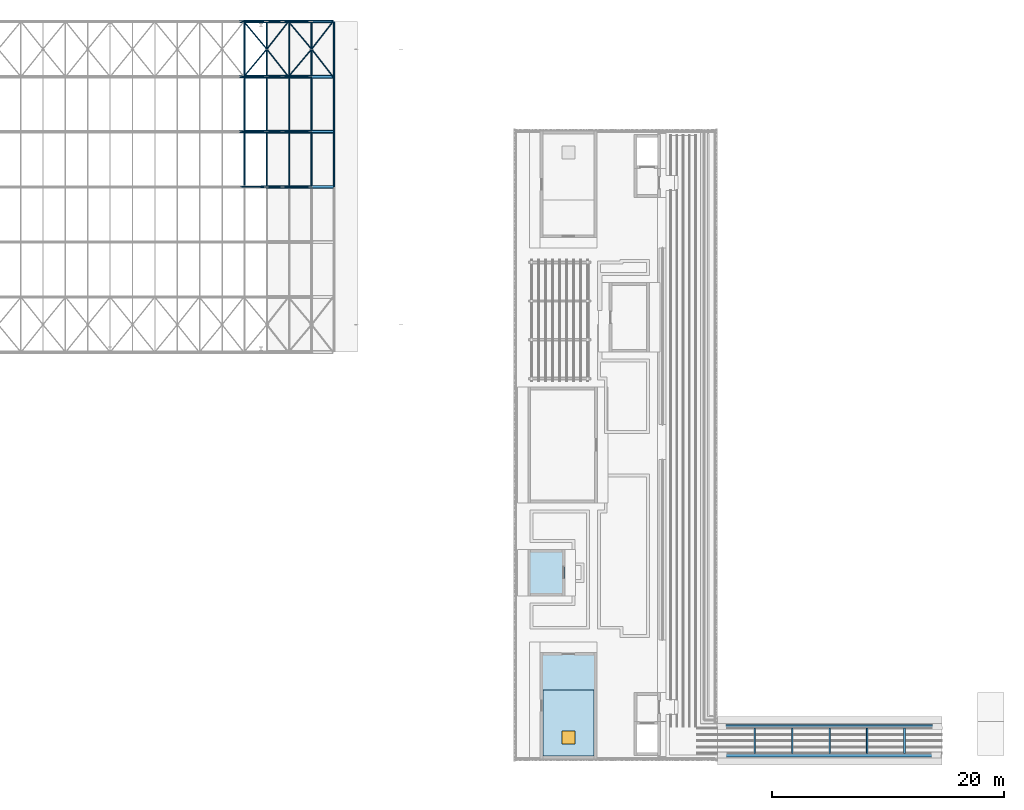
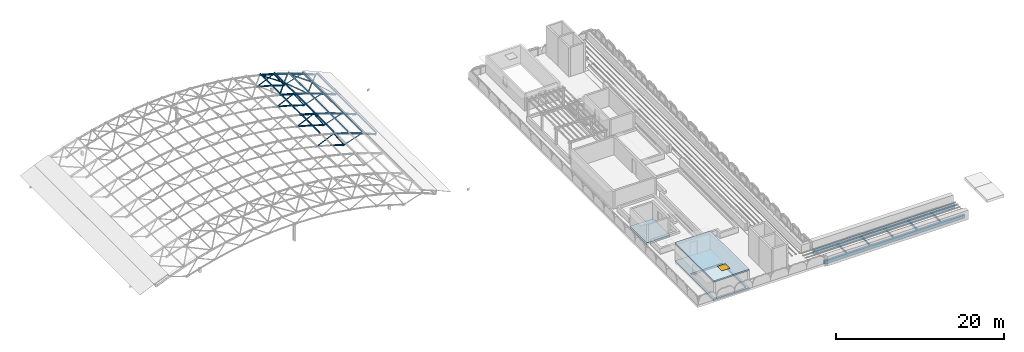
# One storey, part 8 of 22: 57 members, 7 beams, 3 slabs, 1 window, 1 opening.
"""IFC4 building model written with IfcOpenShell, lengths in metres."""

from ifc_helpers import new_model, si_unit, direction, frame, origin, origin_2d, place, context, subcontext, project, spatial, polyline, rectangle, hollow_rectangle, hollow_circle, outline, extrude, material, layer, layer_set, material_profile, profile_set, type_object, element, fill, save


model = new_model("IFC4")

# Units and contexts
model_context = context("Model", 3, precision=1e-05, world=origin(), true_north=direction((0.0, 1.0)))
body_context = subcontext(model_context, "Body", "Model", "MODEL_VIEW")
ifc_project = project(units=[si_unit("LENGTHUNIT", "METRE"), si_unit("AREAUNIT", "SQUARE_METRE"), si_unit("VOLUMEUNIT", "CUBIC_METRE"), si_unit("PLANEANGLEUNIT", "RADIAN"), si_unit("MASSUNIT", "GRAM", prefix="KILO")], contexts=[model_context])

# Site, building, storey
site_placement = place(None, origin())
site = spatial("IfcSite", under=ifc_project, at=site_placement, CompositionType="ELEMENT")
building_placement = place(site_placement, origin())
building = spatial("IfcBuilding", under=site, at=building_placement, Name="Elbe Cascade School", CompositionType="ELEMENT")
storey_placement = place(building_placement, frame((0.0, 0.0, 18.89990234375)))
storey = spatial("IfcBuildingStorey", under=building, at=storey_placement, Name="R05", CompositionType="ELEMENT", Elevation=18.89990234375)

# Members
ifc_material_1 = material(Name="Steel S355J2H", Category="steel")
ifc_material_profile_1 = material_profile(ifc_material_1, hollow_circle(Radius=0.109619140625, WallThickness=0.012451171875, at=origin_2d()), Name="CHS 219.1x12.5")
ifc_profile_set_1 = profile_set([ifc_material_profile_1], Name="Steel S355J2H")
member_type_1 = type_object("IfcMemberType", Name="Hall rib bottom chord CHS 219.1x12.5", PredefinedType="CHORD", material=ifc_profile_set_1)
member_1_placement = place(storey_placement, frame((47.0, 55.25, 0.82763671875), z_axis=(0.953554243511, 0.0, -0.301221354957), x_axis=(0.0, 1.0, 0.0)))
element("IfcMember", 1, at=member_1_placement, inside=storey, type_object=member_type_1, Name="Hall rib bottom chord CHS 219.1x12.5 M3", PredefinedType="CHORD", context=body_context, shape_type="SweptSolid", body=[
    extrude(hollow_circle(Radius=0.109619140625, WallThickness=0.012451171875, at=origin_2d()), origin(), (0.0, 0.0, 1.0), 1.94775390625),
])
member_2_placement = place(storey_placement, frame((45.142822265625, 60.0, 1.329833984375), z_axis=(0.965329694666, 0.0, -0.26103367713), x_axis=(0.0, 1.0, 0.0)))
element("IfcMember", 2, at=member_2_placement, inside=storey, type_object=member_type_1, Name="Hall rib bottom chord CHS 219.1x12.5 M3", PredefinedType="CHORD", context=body_context, shape_type="SweptSolid", body=[
    extrude(hollow_circle(Radius=0.109619140625, WallThickness=0.012451171875, at=origin_2d()), origin(), (0.0, 0.0, 1.0), 1.923828125),
])
member_3_placement = place(storey_placement, frame((47.0, 60.0, 0.82763671875), z_axis=(0.953554243511, 0.0, -0.301221354957), x_axis=(0.0, 1.0, 0.0)))
element("IfcMember", 3, at=member_3_placement, inside=storey, type_object=member_type_1, Name="Hall rib bottom chord CHS 219.1x12.5 M3", PredefinedType="CHORD", context=body_context, shape_type="SweptSolid", body=[
    extrude(hollow_circle(Radius=0.109619140625, WallThickness=0.012451171875, at=origin_2d()), origin(), (0.0, 0.0, 1.0), 1.94775390625),
])
member_4_placement = place(storey_placement, frame((45.142822265625, 64.75, 1.329833984375), z_axis=(0.965329694666, 0.0, -0.26103367713), x_axis=(0.0, 1.0, 0.0)))
element("IfcMember", 4, at=member_4_placement, inside=storey, type_object=member_type_1, Name="Hall rib bottom chord CHS 219.1x12.5 M3", PredefinedType="CHORD", context=body_context, shape_type="SweptSolid", body=[
    extrude(hollow_circle(Radius=0.109619140625, WallThickness=0.012451171875, at=origin_2d()), origin(), (0.0, 0.0, 1.0), 1.923828125),
])
member_5_placement = place(storey_placement, frame((47.0, 64.75, 0.82763671875), z_axis=(0.953554243511, 0.0, -0.301221354957), x_axis=(0.0, 1.0, 0.0)))
element("IfcMember", 5, at=member_5_placement, inside=storey, type_object=member_type_1, Name="Hall rib bottom chord CHS 219.1x12.5 M3", PredefinedType="CHORD", context=body_context, shape_type="SweptSolid", body=[
    extrude(hollow_circle(Radius=0.109619140625, WallThickness=0.012451171875, at=origin_2d()), origin(), (0.0, 0.0, 1.0), 1.94775390625),
])
member_6_placement = place(storey_placement, frame((45.142822265625, 69.5, 1.329833984375), z_axis=(0.965329694666, 0.0, -0.26103367713), x_axis=(0.0, 1.0, 0.0)))
element("IfcMember", 6, at=member_6_placement, inside=storey, type_object=member_type_1, Name="Hall rib bottom chord CHS 219.1x12.5 M3", PredefinedType="CHORD", context=body_context, shape_type="SweptSolid", body=[
    extrude(hollow_circle(Radius=0.109619140625, WallThickness=0.012451171875, at=origin_2d()), origin(), (0.0, 0.0, 1.0), 1.923828125),
])
member_7_placement = place(storey_placement, frame((47.0, 69.5, 0.82763671875), z_axis=(0.953554243511, 0.0, -0.301221354957), x_axis=(0.0, 1.0, 0.0)))
element("IfcMember", 7, at=member_7_placement, inside=storey, type_object=member_type_1, Name="Hall rib bottom chord CHS 219.1x12.5 M3", PredefinedType="CHORD", context=body_context, shape_type="SweptSolid", body=[
    extrude(hollow_circle(Radius=0.109619140625, WallThickness=0.012451171875, at=origin_2d()), origin(), (0.0, 0.0, 1.0), 1.94775390625),
])
ifc_material_2 = material(Name="Steel S355J2H", Category="steel")
ifc_material_profile_2 = material_profile(ifc_material_2, hollow_circle(Radius=0.136474609375, WallThickness=0.012451171875, at=origin_2d()), Name="CHS 273x12.5")
ifc_profile_set_2 = profile_set([ifc_material_profile_2], Name="Steel S355J2H")
member_type_2 = type_object("IfcMemberType", Name="Hall rib top chord CHS 273x12.5", PredefinedType="CHORD", material=ifc_profile_set_2)
member_8_placement = place(storey_placement, frame((47.44970703125, 55.25, 2.363037109375), z_axis=(0.953557025061, 0.0, -0.301212549467), x_axis=(0.0, 1.0, 0.0)))
element("IfcMember", 8, at=member_8_placement, inside=storey, type_object=member_type_2, Name="Hall rib top chord CHS 273x12.5 M2", PredefinedType="CHORD", context=body_context, shape_type="SweptSolid", body=[
    extrude(hollow_circle(Radius=0.136474609375, WallThickness=0.012451171875, at=origin_2d()), origin(), (0.0, 0.0, 1.0), 2.014892578125),
])
member_9_placement = place(storey_placement, frame((49.37109375, 55.25, 1.756103515625), z_axis=(0.939901472249, 0.0, -0.341445782612), x_axis=(0.0, 1.0, 0.0)))
element("IfcMember", 9, at=member_9_placement, inside=storey, type_object=member_type_2, Name="Hall rib top chord CHS 273x12.5 M2", PredefinedType="CHORD", context=body_context, shape_type="SweptSolid", body=[
    extrude(hollow_circle(Radius=0.136474609375, WallThickness=0.012451171875, at=origin_2d()), origin(), (0.0, 0.0, 1.0), 2.044189453125),
])
member_10_placement = place(storey_placement, frame((51.29248046875, 55.25, 1.05810546875), z_axis=(0.924371303733, 0.0, -0.381494027259), x_axis=(0.0, 1.0, 0.0)))
element("IfcMember", 10, at=member_10_placement, inside=storey, type_object=member_type_2, Name="Hall rib top chord CHS 273x12.5 M2", PredefinedType="CHORD", context=body_context, shape_type="SweptSolid", body=[
    extrude(hollow_circle(Radius=0.136474609375, WallThickness=0.012451171875, at=origin_2d()), origin(), (0.0, 0.0, 1.0), 2.07861328125),
])
member_11_placement = place(storey_placement, frame((45.5283203125, 60.0, 2.882568359375), z_axis=(0.965333327016, 0.0, -0.26102024395), x_axis=(0.0, 1.0, 0.0)))
element("IfcMember", 11, at=member_11_placement, inside=storey, type_object=member_type_2, Name="Hall rib top chord CHS 273x12.5 M2", PredefinedType="CHORD", context=body_context, shape_type="SweptSolid", body=[
    extrude(hollow_circle(Radius=0.136474609375, WallThickness=0.012451171875, at=origin_2d()), origin(), (0.0, 0.0, 1.0), 1.990478515625),
])
member_12_placement = place(storey_placement, frame((47.44970703125, 60.0, 2.363037109375), z_axis=(0.953557025061, 0.0, -0.301212549467), x_axis=(0.0, 1.0, 0.0)))
element("IfcMember", 12, at=member_12_placement, inside=storey, type_object=member_type_2, Name="Hall rib top chord CHS 273x12.5 M2", PredefinedType="CHORD", context=body_context, shape_type="SweptSolid", body=[
    extrude(hollow_circle(Radius=0.136474609375, WallThickness=0.012451171875, at=origin_2d()), origin(), (0.0, 0.0, 1.0), 2.014892578125),
])
member_13_placement = place(storey_placement, frame((49.37109375, 60.0, 1.756103515625), z_axis=(0.939901472249, 0.0, -0.341445782612), x_axis=(0.0, 1.0, 0.0)))
element("IfcMember", 13, at=member_13_placement, inside=storey, type_object=member_type_2, Name="Hall rib top chord CHS 273x12.5 M2", PredefinedType="CHORD", context=body_context, shape_type="SweptSolid", body=[
    extrude(hollow_circle(Radius=0.136474609375, WallThickness=0.012451171875, at=origin_2d()), origin(), (0.0, 0.0, 1.0), 2.044189453125),
])
member_14_placement = place(storey_placement, frame((51.29248046875, 60.0, 1.05810546875), z_axis=(0.924371303733, 0.0, -0.381494027259), x_axis=(0.0, 1.0, 0.0)))
element("IfcMember", 14, at=member_14_placement, inside=storey, type_object=member_type_2, Name="Hall rib top chord CHS 273x12.5 M2", PredefinedType="CHORD", context=body_context, shape_type="SweptSolid", body=[
    extrude(hollow_circle(Radius=0.136474609375, WallThickness=0.012451171875, at=origin_2d()), origin(), (0.0, 0.0, 1.0), 2.07861328125),
])
member_15_placement = place(storey_placement, frame((45.5283203125, 64.75, 2.882568359375), z_axis=(0.965333327016, 0.0, -0.26102024395), x_axis=(0.0, 1.0, 0.0)))
element("IfcMember", 15, at=member_15_placement, inside=storey, type_object=member_type_2, Name="Hall rib top chord CHS 273x12.5 M2", PredefinedType="CHORD", context=body_context, shape_type="SweptSolid", body=[
    extrude(hollow_circle(Radius=0.136474609375, WallThickness=0.012451171875, at=origin_2d()), origin(), (0.0, 0.0, 1.0), 1.990478515625),
])
member_16_placement = place(storey_placement, frame((47.44970703125, 64.75, 2.363037109375), z_axis=(0.953557025061, 0.0, -0.301212549467), x_axis=(0.0, 1.0, 0.0)))
element("IfcMember", 16, at=member_16_placement, inside=storey, type_object=member_type_2, Name="Hall rib top chord CHS 273x12.5 M2", PredefinedType="CHORD", context=body_context, shape_type="SweptSolid", body=[
    extrude(hollow_circle(Radius=0.136474609375, WallThickness=0.012451171875, at=origin_2d()), origin(), (0.0, 0.0, 1.0), 2.014892578125),
])
member_17_placement = place(storey_placement, frame((49.37109375, 64.75, 1.756103515625), z_axis=(0.939901472249, 0.0, -0.341445782612), x_axis=(0.0, 1.0, 0.0)))
element("IfcMember", 17, at=member_17_placement, inside=storey, type_object=member_type_2, Name="Hall rib top chord CHS 273x12.5 M2", PredefinedType="CHORD", context=body_context, shape_type="SweptSolid", body=[
    extrude(hollow_circle(Radius=0.136474609375, WallThickness=0.012451171875, at=origin_2d()), origin(), (0.0, 0.0, 1.0), 2.044189453125),
])
member_18_placement = place(storey_placement, frame((51.29248046875, 64.75, 1.05810546875), z_axis=(0.924371303733, 0.0, -0.381494027259), x_axis=(0.0, 1.0, 0.0)))
element("IfcMember", 18, at=member_18_placement, inside=storey, type_object=member_type_2, Name="Hall rib top chord CHS 273x12.5 M2", PredefinedType="CHORD", context=body_context, shape_type="SweptSolid", body=[
    extrude(hollow_circle(Radius=0.136474609375, WallThickness=0.012451171875, at=origin_2d()), origin(), (0.0, 0.0, 1.0), 2.07861328125),
])
member_19_placement = place(storey_placement, frame((45.5283203125, 69.5, 2.882568359375), z_axis=(0.965333327016, 0.0, -0.26102024395), x_axis=(0.0, 1.0, 0.0)))
element("IfcMember", 19, at=member_19_placement, inside=storey, type_object=member_type_2, Name="Hall rib top chord CHS 273x12.5 M2", PredefinedType="CHORD", context=body_context, shape_type="SweptSolid", body=[
    extrude(hollow_circle(Radius=0.136474609375, WallThickness=0.012451171875, at=origin_2d()), origin(), (0.0, 0.0, 1.0), 1.990478515625),
])
member_20_placement = place(storey_placement, frame((47.44970703125, 69.5, 2.363037109375), z_axis=(0.953557025061, 0.0, -0.301212549467), x_axis=(0.0, 1.0, 0.0)))
element("IfcMember", 20, at=member_20_placement, inside=storey, type_object=member_type_2, Name="Hall rib top chord CHS 273x12.5 M2", PredefinedType="CHORD", context=body_context, shape_type="SweptSolid", body=[
    extrude(hollow_circle(Radius=0.136474609375, WallThickness=0.012451171875, at=origin_2d()), origin(), (0.0, 0.0, 1.0), 2.014892578125),
])
member_21_placement = place(storey_placement, frame((49.37109375, 69.5, 1.756103515625), z_axis=(0.939901472249, 0.0, -0.341445782612), x_axis=(0.0, 1.0, 0.0)))
element("IfcMember", 21, at=member_21_placement, inside=storey, type_object=member_type_2, Name="Hall rib top chord CHS 273x12.5 M2", PredefinedType="CHORD", context=body_context, shape_type="SweptSolid", body=[
    extrude(hollow_circle(Radius=0.136474609375, WallThickness=0.012451171875, at=origin_2d()), origin(), (0.0, 0.0, 1.0), 2.044189453125),
])
member_22_placement = place(storey_placement, frame((51.29248046875, 69.5, 1.05810546875), z_axis=(0.924371303733, 0.0, -0.381494027259), x_axis=(0.0, 1.0, 0.0)))
element("IfcMember", 22, at=member_22_placement, inside=storey, type_object=member_type_2, Name="Hall rib top chord CHS 273x12.5 M2", PredefinedType="CHORD", context=body_context, shape_type="SweptSolid", body=[
    extrude(hollow_circle(Radius=0.136474609375, WallThickness=0.012451171875, at=origin_2d()), origin(), (0.0, 0.0, 1.0), 2.07861328125),
])
ifc_material_3 = material(Name="Steel S355J2H", Category="steel")
ifc_material_profile_3 = material_profile(ifc_material_3, hollow_circle(Radius=0.06982421875, WallThickness=0.008056640625, at=origin_2d()), Name="CHS 139.7x8")
ifc_profile_set_3 = profile_set([ifc_material_profile_3], Name="Steel S355J2H")
member_type_3 = type_object("IfcMemberType", Name="Hall rib web CHS 139.7x8", PredefinedType="BRACE", material=ifc_profile_set_3)
member_23_placement = place(storey_placement, frame((45.142822265625, 55.25, 1.329833984375), z_axis=(0.91264478228, 0.0, 0.408753594942), x_axis=(0.0, 1.0, 0.0)))
element("IfcMember", 23, at=member_23_placement, inside=storey, type_object=member_type_3, Name="Hall rib web CHS 139.7x8 M4", PredefinedType="BRACE", context=body_context, shape_type="SweptSolid", body=[
    extrude(hollow_circle(Radius=0.06982421875, WallThickness=0.008056640625, at=origin_2d()), origin(), (0.0, 0.0, 1.0), 2.527587890625),
])
member_24_placement = place(storey_placement, frame((47.44970703125, 55.25, 2.363037109375), z_axis=(0.552729481787, 0.0, -0.833360738194), x_axis=(0.0, 1.0, 0.0)))
element("IfcMember", 24, at=member_24_placement, inside=storey, type_object=member_type_3, Name="Hall rib web CHS 139.7x8 M4", PredefinedType="BRACE", context=body_context, shape_type="SweptSolid", body=[
    extrude(hollow_circle(Radius=0.06982421875, WallThickness=0.008056640625, at=origin_2d()), origin(), (0.0, 0.0, 1.0), 2.54638671875),
])
member_25_placement = place(storey_placement, frame((48.857177734375, 55.25, 0.240966796875), z_axis=(0.948054147637, 0.0, 0.318108995704), x_axis=(0.0, 1.0, 0.0)))
element("IfcMember", 25, at=member_25_placement, inside=storey, type_object=member_type_3, Name="Hall rib web CHS 139.7x8 M4", PredefinedType="BRACE", context=body_context, shape_type="SweptSolid", body=[
    extrude(hollow_circle(Radius=0.06982421875, WallThickness=0.008056640625, at=origin_2d()), origin(), (0.0, 0.0, 1.0), 2.56884765625),
])
member_26_placement = place(storey_placement, frame((45.142822265625, 60.0, 1.329833984375), z_axis=(0.91264478228, 0.0, 0.408753594942), x_axis=(0.0, 1.0, 0.0)))
element("IfcMember", 26, at=member_26_placement, inside=storey, type_object=member_type_3, Name="Hall rib web CHS 139.7x8 M4", PredefinedType="BRACE", context=body_context, shape_type="SweptSolid", body=[
    extrude(hollow_circle(Radius=0.06982421875, WallThickness=0.008056640625, at=origin_2d()), origin(), (0.0, 0.0, 1.0), 2.527587890625),
])
member_27_placement = place(storey_placement, frame((47.44970703125, 60.0, 2.363037109375), z_axis=(0.552729481787, 0.0, -0.833360738194), x_axis=(0.0, 1.0, 0.0)))
element("IfcMember", 27, at=member_27_placement, inside=storey, type_object=member_type_3, Name="Hall rib web CHS 139.7x8 M4", PredefinedType="BRACE", context=body_context, shape_type="SweptSolid", body=[
    extrude(hollow_circle(Radius=0.06982421875, WallThickness=0.008056640625, at=origin_2d()), origin(), (0.0, 0.0, 1.0), 2.54638671875),
])
member_28_placement = place(storey_placement, frame((48.857177734375, 60.0, 0.240966796875), z_axis=(0.948054147637, 0.0, 0.318108995704), x_axis=(0.0, 1.0, 0.0)))
element("IfcMember", 28, at=member_28_placement, inside=storey, type_object=member_type_3, Name="Hall rib web CHS 139.7x8 M4", PredefinedType="BRACE", context=body_context, shape_type="SweptSolid", body=[
    extrude(hollow_circle(Radius=0.06982421875, WallThickness=0.008056640625, at=origin_2d()), origin(), (0.0, 0.0, 1.0), 2.56884765625),
])
member_29_placement = place(storey_placement, frame((45.142822265625, 64.75, 1.329833984375), z_axis=(0.91264478228, 0.0, 0.408753594942), x_axis=(0.0, 1.0, 0.0)))
element("IfcMember", 29, at=member_29_placement, inside=storey, type_object=member_type_3, Name="Hall rib web CHS 139.7x8 M4", PredefinedType="BRACE", context=body_context, shape_type="SweptSolid", body=[
    extrude(hollow_circle(Radius=0.06982421875, WallThickness=0.008056640625, at=origin_2d()), origin(), (0.0, 0.0, 1.0), 2.527587890625),
])
member_30_placement = place(storey_placement, frame((47.44970703125, 64.75, 2.363037109375), z_axis=(0.552729481787, 0.0, -0.833360738194), x_axis=(0.0, 1.0, 0.0)))
element("IfcMember", 30, at=member_30_placement, inside=storey, type_object=member_type_3, Name="Hall rib web CHS 139.7x8 M4", PredefinedType="BRACE", context=body_context, shape_type="SweptSolid", body=[
    extrude(hollow_circle(Radius=0.06982421875, WallThickness=0.008056640625, at=origin_2d()), origin(), (0.0, 0.0, 1.0), 2.54638671875),
])
member_31_placement = place(storey_placement, frame((48.857177734375, 64.75, 0.240966796875), z_axis=(0.948054147637, 0.0, 0.318108995704), x_axis=(0.0, 1.0, 0.0)))
element("IfcMember", 31, at=member_31_placement, inside=storey, type_object=member_type_3, Name="Hall rib web CHS 139.7x8 M4", PredefinedType="BRACE", context=body_context, shape_type="SweptSolid", body=[
    extrude(hollow_circle(Radius=0.06982421875, WallThickness=0.008056640625, at=origin_2d()), origin(), (0.0, 0.0, 1.0), 2.56884765625),
])
member_32_placement = place(storey_placement, frame((45.142822265625, 69.5, 1.329833984375), z_axis=(0.91264478228, 0.0, 0.408753594942), x_axis=(0.0, 1.0, 0.0)))
element("IfcMember", 32, at=member_32_placement, inside=storey, type_object=member_type_3, Name="Hall rib web CHS 139.7x8 M4", PredefinedType="BRACE", context=body_context, shape_type="SweptSolid", body=[
    extrude(hollow_circle(Radius=0.06982421875, WallThickness=0.008056640625, at=origin_2d()), origin(), (0.0, 0.0, 1.0), 2.527587890625),
])
member_33_placement = place(storey_placement, frame((47.44970703125, 69.5, 2.363037109375), z_axis=(0.552729481787, 0.0, -0.833360738194), x_axis=(0.0, 1.0, 0.0)))
element("IfcMember", 33, at=member_33_placement, inside=storey, type_object=member_type_3, Name="Hall rib web CHS 139.7x8 M4", PredefinedType="BRACE", context=body_context, shape_type="SweptSolid", body=[
    extrude(hollow_circle(Radius=0.06982421875, WallThickness=0.008056640625, at=origin_2d()), origin(), (0.0, 0.0, 1.0), 2.54638671875),
])
member_34_placement = place(storey_placement, frame((48.857177734375, 69.5, 0.240966796875), z_axis=(0.948054147637, 0.0, 0.318108995704), x_axis=(0.0, 1.0, 0.0)))
element("IfcMember", 34, at=member_34_placement, inside=storey, type_object=member_type_3, Name="Hall rib web CHS 139.7x8 M4", PredefinedType="BRACE", context=body_context, shape_type="SweptSolid", body=[
    extrude(hollow_circle(Radius=0.06982421875, WallThickness=0.008056640625, at=origin_2d()), origin(), (0.0, 0.0, 1.0), 2.56884765625),
])
ifc_material_4 = material(Name="Steel S355J2H", Category="steel")
ifc_material_profile_4 = material_profile(ifc_material_4, hollow_circle(Radius=0.05712890625, WallThickness=0.00634765625, at=origin_2d()), Name="CHS 114.3x6.3")
ifc_profile_set_4 = profile_set([ifc_material_profile_4], Name="Steel S355J2H")
member_type_4 = type_object("IfcMemberType", Name="Hall roof bracing CHS 114.3x6.3", PredefinedType="BRACE", material=ifc_profile_set_4)
member_35_placement = place(storey_placement, frame((47.5078125, 67.125, 2.561279296875), z_axis=(-0.636817309596, -0.764055104557, 0.103361072944), x_axis=(0.768169496893, -0.6402465338, 0.0)))
element("IfcMember", 35, at=member_35_placement, inside=storey, type_object=member_type_4, Name="Hall roof bracing CHS 114.3x6.3 M9", PredefinedType="BRACE", context=body_context, shape_type="SweptSolid", body=[
    extrude(hollow_circle(Radius=0.05712890625, WallThickness=0.00634765625, at=origin_2d()), origin(), (0.0, 0.0, 1.0), 3.1083984375),
])
member_36_placement = place(storey_placement, frame((47.5078125, 67.125, 2.561279296875), z_axis=(0.596398878053, 0.760189764898, -0.257720584358), x_axis=(-0.786767161878, 0.617249895092, 0.0)))
element("IfcMember", 36, at=member_36_placement, inside=storey, type_object=member_type_4, Name="Hall roof bracing CHS 114.3x6.3 M9", PredefinedType="BRACE", context=body_context, shape_type="SweptSolid", body=[
    extrude(hollow_circle(Radius=0.05712890625, WallThickness=0.00634765625, at=origin_2d()), origin(), (0.0, 0.0, 1.0), 3.124267578125),
])
member_37_placement = place(storey_placement, frame((47.5078125, 67.125, 2.561279296875), z_axis=(-0.636817309596, 0.764055104557, 0.103361072944), x_axis=(-0.768169496893, -0.6402465338, 0.0)))
element("IfcMember", 37, at=member_37_placement, inside=storey, type_object=member_type_4, Name="Hall roof bracing CHS 114.3x6.3 M9", PredefinedType="BRACE", context=body_context, shape_type="SweptSolid", body=[
    extrude(hollow_circle(Radius=0.05712890625, WallThickness=0.00634765625, at=origin_2d()), origin(), (0.0, 0.0, 1.0), 3.1083984375),
])
member_38_placement = place(storey_placement, frame((47.5078125, 67.125, 2.561279296875), z_axis=(0.596398878053, -0.760189764898, -0.257720584358), x_axis=(0.786767161878, 0.617249895092, 0.0)))
element("IfcMember", 38, at=member_38_placement, inside=storey, type_object=member_type_4, Name="Hall roof bracing CHS 114.3x6.3 M9", PredefinedType="BRACE", context=body_context, shape_type="SweptSolid", body=[
    extrude(hollow_circle(Radius=0.05712890625, WallThickness=0.00634765625, at=origin_2d()), origin(), (0.0, 0.0, 1.0), 3.124267578125),
])
member_39_placement = place(storey_placement, frame((51.3671875, 67.125, 1.250732421875), z_axis=(-0.635028676085, -0.75557227996, 0.160776585066), x_axis=(0.765531209015, -0.64339876284, 0.0)))
element("IfcMember", 39, at=member_39_placement, inside=storey, type_object=member_type_4, Name="Hall roof bracing CHS 114.3x6.3 M9", PredefinedType="BRACE", context=body_context, shape_type="SweptSolid", body=[
    extrude(hollow_circle(Radius=0.05712890625, WallThickness=0.00634765625, at=origin_2d()), origin(), (0.0, 0.0, 1.0), 3.143310546875),
])
member_40_placement = place(storey_placement, frame((51.3671875, 67.125, 1.250732421875), z_axis=(0.583322813116, 0.750206812003, -0.311326572785), x_axis=(-0.78943960306, 0.613828243991, 0.0)))
element("IfcMember", 40, at=member_40_placement, inside=storey, type_object=member_type_4, Name="Hall roof bracing CHS 114.3x6.3 M9", PredefinedType="BRACE", context=body_context, shape_type="SweptSolid", body=[
    extrude(hollow_circle(Radius=0.05712890625, WallThickness=0.00634765625, at=origin_2d()), origin(), (0.0, 0.0, 1.0), 3.165771484375),
])
member_41_placement = place(storey_placement, frame((51.3671875, 67.125, 1.250732421875), z_axis=(-0.635028676085, 0.75557227996, 0.160776585066), x_axis=(-0.765531209015, -0.64339876284, 0.0)))
element("IfcMember", 41, at=member_41_placement, inside=storey, type_object=member_type_4, Name="Hall roof bracing CHS 114.3x6.3 M9", PredefinedType="BRACE", context=body_context, shape_type="SweptSolid", body=[
    extrude(hollow_circle(Radius=0.05712890625, WallThickness=0.00634765625, at=origin_2d()), origin(), (0.0, 0.0, 1.0), 3.143310546875),
])
member_42_placement = place(storey_placement, frame((51.3671875, 67.125, 1.250732421875), z_axis=(0.583322813116, -0.750206812003, -0.311326572785), x_axis=(0.78943960306, 0.613828243991, 0.0)))
element("IfcMember", 42, at=member_42_placement, inside=storey, type_object=member_type_4, Name="Hall roof bracing CHS 114.3x6.3 M9", PredefinedType="BRACE", context=body_context, shape_type="SweptSolid", body=[
    extrude(hollow_circle(Radius=0.05712890625, WallThickness=0.00634765625, at=origin_2d()), origin(), (0.0, 0.0, 1.0), 3.165771484375),
])
ifc_material_5 = material(Name="Steel S355J2H", Category="steel")
ifc_material_profile_5 = material_profile(ifc_material_5, hollow_rectangle(XDim=0.10009765625, YDim=0.199951171875, WallThickness=0.008056640625, InnerFilletRadius=0.008056640625, OuterFilletRadius=0.011962890625, at=origin_2d()), Name="RHS 200x100x8")
ifc_profile_set_5 = profile_set([ifc_material_profile_5], Name="Steel S355J2H")
member_type_5 = type_object("IfcMemberType", Name="Hall roof purlin RHS 200x100x8", PredefinedType="PURLIN", material=ifc_profile_set_5)
for number, where, z_axis, x_axis, name in (
    (43, (45.578125, 55.25, 3.0830078125), (0.0, 1.0, 0.0), (-0.970543329116, 0.0, 0.240926640925), "Hall roof purlin RHS 200x100x8 M8"),
    (44, (45.578125, 60.0, 3.0830078125), (0.0, 1.0, 0.0), (-0.970543329116, 0.0, 0.240926640925), "Hall roof purlin RHS 200x100x8 M8"),
    (45, (45.578125, 64.75, 3.0830078125), (0.0, 1.0, 0.0), (-0.970543329116, 0.0, 0.240926640925), "Hall roof purlin RHS 200x100x8 M8"),
    (46, (47.5078125, 55.25, 2.561279296875), (0.0, 1.0, 0.0), (-0.959684023967, 0.0, 0.281081081082), "Hall roof purlin RHS 200x100x8 M8"),
    (47, (47.5078125, 60.0, 2.561279296875), (0.0, 1.0, 0.0), (-0.959684023967, 0.0, 0.281081081082), "Hall roof purlin RHS 200x100x8 M8"),
    (48, (47.5078125, 64.75, 2.561279296875), (0.0, 1.0, 0.0), (-0.959684023967, 0.0, 0.281081081082), "Hall roof purlin RHS 200x100x8 M8"),
    (49, (49.4375, 55.25, 1.95166015625), (0.0, 1.0, 0.0), (-0.946999334689, 0.0, 0.321235521227), "Hall roof purlin RHS 200x100x8 M8"),
    (50, (49.4375, 60.0, 1.95166015625), (0.0, 1.0, 0.0), (-0.946999334689, 0.0, 0.321235521227), "Hall roof purlin RHS 200x100x8 M8"),
    (51, (49.4375, 64.75, 1.95166015625), (0.0, 1.0, 0.0), (-0.946999334689, 0.0, 0.321235521227), "Hall roof purlin RHS 200x100x8 M8"),
    (52, (51.3671875, 55.25, 1.250732421875), (0.0, 1.0, 0.0), (-0.932414765977, 0.0, 0.361389961383), "Hall roof purlin RHS 200x100x8 M8"),
    (53, (51.3671875, 60.0, 1.250732421875), (0.0, 1.0, 0.0), (-0.932414765977, 0.0, 0.361389961383), "Hall roof purlin RHS 200x100x8 M8"),
    (54, (51.3671875, 64.75, 1.250732421875), (0.0, 1.0, 0.0), (-0.932414765977, 0.0, 0.361389961383), "Hall roof purlin RHS 200x100x8 M8"),
    (55, (53.296875, 55.25, 0.4541015625), (0.0, 1.0, 0.0), (-0.915839556683, 0.0, 0.401544401549), "Hall roof purlin RHS 200x100x8 M8"),
    (56, (53.296875, 60.0, 0.4541015625), (0.0, 1.0, 0.0), (-0.915839556683, 0.0, 0.401544401549), "Hall roof purlin RHS 200x100x8 M8"),
    (57, (53.296875, 64.75, 0.4541015625), (0.0, 1.0, 0.0), (-0.915839556683, 0.0, 0.401544401549), "Hall roof purlin RHS 200x100x8 M8"),
):
    element("IfcMember", number, at=place(storey_placement, frame(where, z_axis=z_axis, x_axis=x_axis)), inside=storey, type_object=member_type_5, Name=name, PredefinedType="PURLIN", context=body_context, shape_type="SweptSolid", body=[
        extrude(hollow_rectangle(XDim=0.10009765625, YDim=0.199951171875, WallThickness=0.008056640625, InnerFilletRadius=0.008056640625, OuterFilletRadius=0.011962890625, at=origin_2d()), origin(), (0.0, 0.0, 1.0), 4.75),
    ])

# Beams
ifc_material_6 = material(Name="Steel S355J2H", Category="steel")
ifc_material_profile_6 = material_profile(ifc_material_6, hollow_rectangle(XDim=0.14990234375, YDim=0.25, WallThickness=0.008056640625, InnerFilletRadius=0.008056640625, OuterFilletRadius=0.011962890625, at=origin_2d()), Name="RHS 250x150x8")
ifc_profile_set_6 = profile_set([ifc_material_profile_6], Name="Steel S355J2H")
beam_type_1 = type_object("IfcBeamType", Name="RHS 250x150x8 cross-beam", PredefinedType="BEAM", material=ifc_profile_set_6)
for number, where, z_axis, x_axis, name in (
    (58, (89.574951171875, 6.39990234375, -0.0849609375), (0.0, 1.0, 0.0), (-1.0, 0.0, 0.0), "Bridge A-B cross-beam 1"),
    (59, (92.800048828125, 6.39990234375, -0.0849609375), (0.0, 1.0, 0.0), (-1.0, 0.0, 0.0), "Bridge A-B cross-beam 2"),
    (60, (96.02490234375, 6.39990234375, -0.0849609375), (0.0, 1.0, 0.0), (-1.0, 0.0, 0.0), "Bridge A-B cross-beam 3"),
    (61, (99.25, 6.39990234375, -0.0849609375), (0.0, 1.0, 0.0), (-1.0, 0.0, 0.0), "Bridge A-B cross-beam 4"),
    (62, (102.47509765625, 6.39990234375, -0.0849609375), (0.0, 1.0, 0.0), (-1.0, 0.0, 0.0), "Bridge A-B cross-beam 5"),
):
    element("IfcBeam", number, at=place(storey_placement, frame(where, z_axis=z_axis, x_axis=x_axis)), inside=storey, type_object=beam_type_1, Name=name, PredefinedType="BEAM", context=body_context, shape_type="SweptSolid", body=[
        extrude(hollow_rectangle(XDim=0.14990234375, YDim=0.25, WallThickness=0.008056640625, InnerFilletRadius=0.008056640625, OuterFilletRadius=0.011962890625, at=origin_2d()), origin(), (0.0, 0.0, 1.0), 2.2001953125),
    ])
ifc_material_7 = material(Name="Steel S355J2H", Category="steel")
ifc_material_profile_7 = material_profile(ifc_material_7, hollow_rectangle(XDim=0.300048828125, YDim=0.5, WallThickness=0.01611328125, InnerFilletRadius=0.01611328125, OuterFilletRadius=0.02392578125, at=origin_2d()), Name="RHS 500x300x16")
ifc_profile_set_7 = profile_set([ifc_material_profile_7], Name="Steel S355J2H")
beam_type_2 = type_object("IfcBeamType", Name="RHS 500x300x16 girder", PredefinedType="BEAM", material=ifc_profile_set_7)
beam_1_placement = place(storey_placement, frame((86.35009765625, 6.25, -0.2099609375), z_axis=(1.0, 0.0, 0.0), x_axis=(0.0, 1.0, 0.0)))
element("IfcBeam", 63, at=beam_1_placement, inside=storey, type_object=beam_type_2, Name="Bridge A-B girder 1", PredefinedType="BEAM", context=body_context, shape_type="SweptSolid", body=[
    extrude(hollow_rectangle(XDim=0.300048828125, YDim=0.5, WallThickness=0.01611328125, InnerFilletRadius=0.01611328125, OuterFilletRadius=0.02392578125, at=origin_2d()), origin(), (0.0, 0.0, 1.0), 19.25),
])
beam_2_placement = place(storey_placement, frame((86.300048828125, 8.75, -0.2099609375), z_axis=(1.0, 0.0, 0.0), x_axis=(0.0, 1.0, 0.0)))
element("IfcBeam", 64, at=beam_2_placement, inside=storey, type_object=beam_type_2, Name="Bridge A-B girder 2", PredefinedType="BEAM", context=body_context, shape_type="SweptSolid", body=[
    extrude(hollow_rectangle(XDim=0.300048828125, YDim=0.5, WallThickness=0.01611328125, InnerFilletRadius=0.01611328125, OuterFilletRadius=0.02392578125, at=origin_2d()), origin(), (0.0, 0.0, 1.0), 19.39990234375),
])

# Slabs
ifc_material_8 = material(Name="Concrete C30/37", Category="concrete")
ifc_layer_1 = layer(ifc_material_8, 0.300048828125)
ifc_layer_set_1 = layer_set([ifc_layer_1], Name="Concrete C30/37")
slab_type_1 = type_object("IfcSlabType", Name="Head-house floor slab 300", PredefinedType="FLOOR", material=ifc_layer_set_1)
slab_1_placement = place(storey_placement, frame((0.0, 0.0, -0.2998046875)))
element("IfcSlab", 65, at=slab_1_placement, inside=storey, type_object=slab_type_1, Name="Head-house floor slab 300 S7", PredefinedType="FLOOR", context=body_context, shape_type="SweptSolid", body=[
    extrude(outline(polyline([(70.0, 20.0), (73.199951171875, 20.0), (73.199951171875, 24.0), (70.0, 24.0), (70.0, 20.0)])), origin(), (0.0, 0.0, 1.0), 0.2998046875),
])
slab_2_placement = place(storey_placement, frame((0.0, 0.0, -0.2998046875)))
element("IfcSlab", 66, at=slab_2_placement, inside=storey, type_object=slab_type_1, Name="Head-house floor slab 300 S7", PredefinedType="FLOOR", context=body_context, shape_type="SweptSolid", body=[
    extrude(outline(polyline([(71.050048828125, 5.929931640625), (75.949951171875, 5.929931640625), (75.949951171875, 15.125), (71.050048828125, 15.125), (71.050048828125, 5.929931640625)]), holes=[polyline([(71.300048828125, 6.179931640625), (75.699951171875, 6.179931640625), (75.699951171875, 11.8798828125), (71.300048828125, 11.8798828125), (71.300048828125, 6.179931640625)])]), origin(), (0.0, 0.0, 1.0), 0.2998046875),
])

# Slab, opening, window
ifc_material_9 = material(Name="Concrete C30/37", Category="concrete")
ifc_layer_2 = layer(ifc_material_9, 0.199951171875)
ifc_layer_set_2 = layer_set([ifc_layer_2], Name="Concrete C30/37")
slab_type_2 = type_object("IfcSlabType", Name="Roof slab 200", PredefinedType="ROOF", material=ifc_layer_set_2)
slab_3_placement = place(storey_placement, frame((0.0, 0.0, 2.4501953125)))
slab_3 = element("IfcSlab", 67, at=slab_3_placement, inside=storey, type_object=slab_type_2, Name="Roof slab 200 S4", PredefinedType="ROOF", context=body_context, shape_type="SweptSolid", body=[
    extrude(outline(polyline([(71.050048828125, 5.929931640625), (75.949951171875, 5.929931640625), (75.949951171875, 15.125), (71.050048828125, 15.125), (71.050048828125, 5.929931640625)])), origin(), (0.0, 0.0, 1.0), 0.199951171875),
])
opening_placement = place(slab_3_placement, frame((73.5, 7.780029296875, 0.0)))
opening = element("IfcOpeningElement", 68, at=opening_placement, cuts=slab_3, Name="Opening W5.002", PredefinedType="OPENING", context=body_context, shape_type="SweptSolid", body=[
    extrude(rectangle(XDim=1.10009765625, YDim=1.10009765625, at=origin_2d()), origin(), (0.0, 0.0, 1.0), 0.199951171875),
])
ifc_material_10 = material(Name="Aluminium frame with smoke-vent flap, bronze anodised", Category="aluminium")
window_type = type_object("IfcWindowType", Name="Stair smoke vent 1100x1100", PartitioningType="SINGLE_PANEL", PredefinedType="SKYLIGHT", material=ifc_material_10)
window_placement = place(opening_placement, frame((0.0, 0.0, 0.14990234375)))
window = element("IfcWindow", 69, at=window_placement, inside=storey, type_object=window_type, Name="Stair smoke vent 1100x1100 W5.002", OverallHeight=1.10009765625, OverallWidth=1.10009765625, PartitioningType="SINGLE_PANEL", PredefinedType="SKYLIGHT", context=body_context, shape_type="SweptSolid", body=[
    extrude(rectangle(XDim=1.10009765625, YDim=1.10009765625, at=origin_2d()), origin(), (0.0, 0.0, 1.0), 0.050048828125),
])
fill(opening, window)

save(model, "model.ifc")
